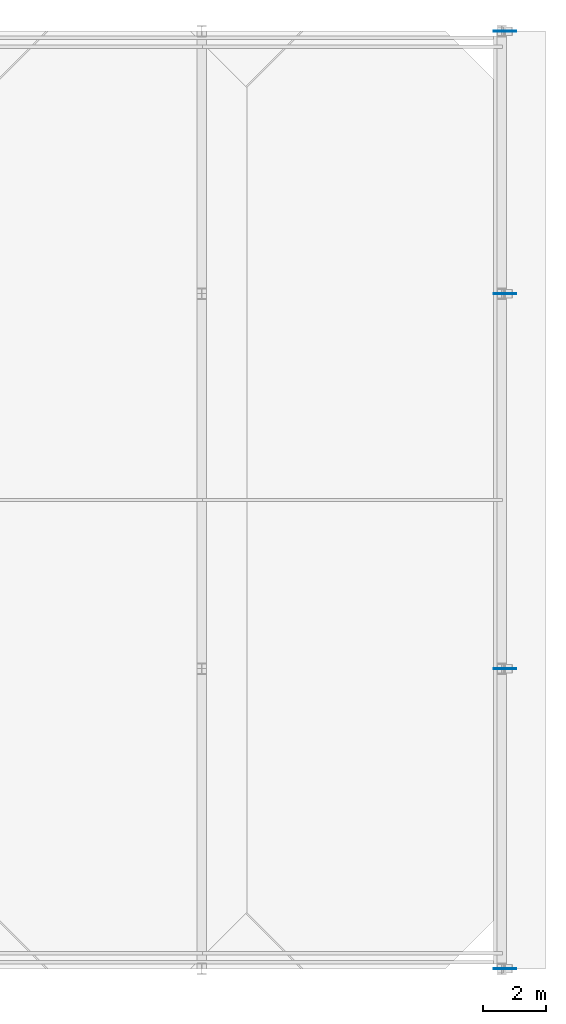
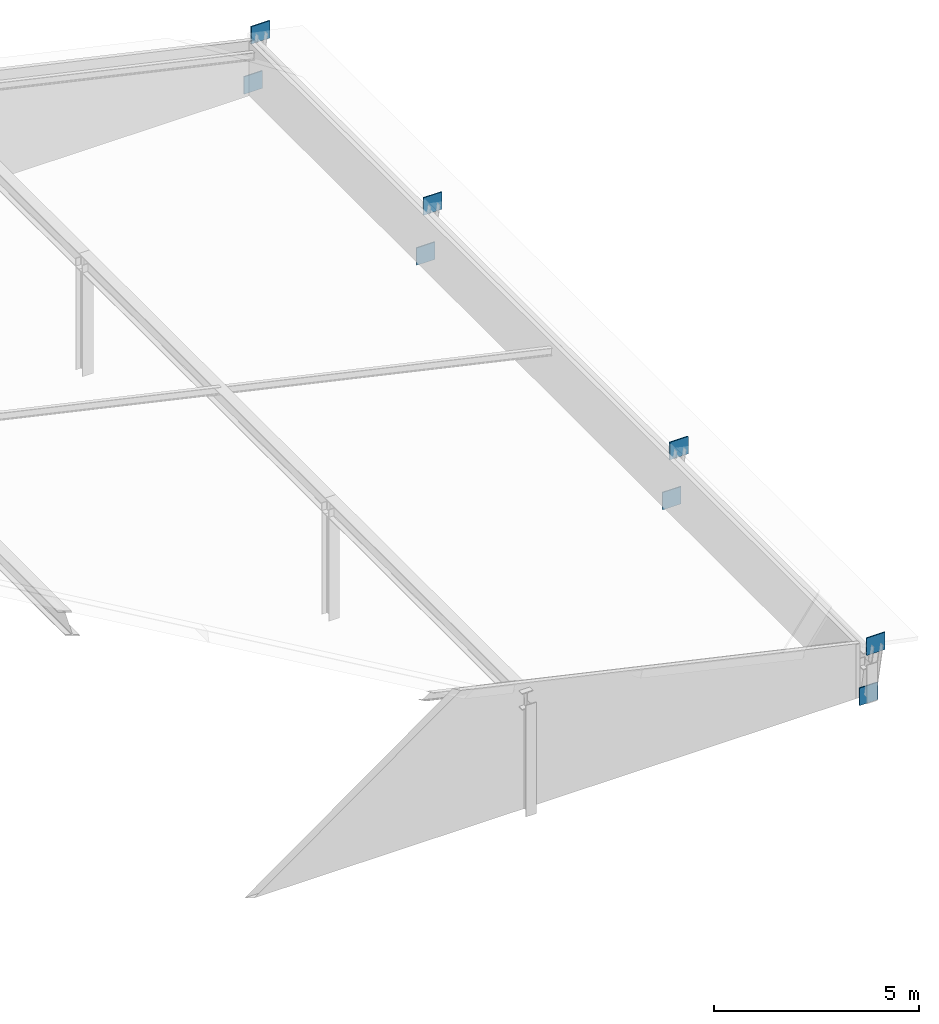
# One storey, part 3 of 4: 8 plates.
"""IFC4 building model written with IfcOpenShell, lengths in metres."""

from ifc_helpers import new_model, si_unit, direction, frame, origin, origin_2d, place, context, subcontext, project, spatial, rectangle, extrude, material, layer, layer_set, type_object, element, save


model = new_model("IFC4")

# Units and contexts
model_context = context("Model", 3, precision=1e-05, world=origin(), true_north=direction((0.0, 1.0)))
body_context = subcontext(model_context, "Body", "Model", "MODEL_VIEW")
ifc_project = project(units=[si_unit("LENGTHUNIT", "METRE"), si_unit("AREAUNIT", "SQUARE_METRE"), si_unit("VOLUMEUNIT", "CUBIC_METRE"), si_unit("PLANEANGLEUNIT", "RADIAN"), si_unit("MASSUNIT", "GRAM", prefix="KILO")], contexts=[model_context])

# Site, building, storey
site_placement = place(None, origin())
site = spatial("IfcSite", under=ifc_project, at=site_placement, CompositionType="ELEMENT")
building_placement = place(site_placement, origin())
building = spatial("IfcBuilding", under=site, at=building_placement, Name="Zereglee Splitstone Museum", CompositionType="ELEMENT")
storey_placement = place(building_placement, frame((0.0, 0.0, 29.699951171875)))
storey = spatial("IfcBuildingStorey", under=building, at=storey_placement, Name="RF", CompositionType="ELEMENT", Elevation=29.699951171875)

# Plates
ifc_material = material(Name="Steel S355J2", Category="steel")
ifc_layer = layer(ifc_material, 0.030029296875)
ifc_layer_set = layer_set([ifc_layer], Name="Steel S355J2")
plate_type = type_object("IfcPlateType", Name="NP-04", PredefinedType="SHEET", material=ifc_layer_set)
for number, where, z_axis, x_axis, name in (
    (1, (39.60009765625, 0.0, -0.10986328125), (0.0, 0.0, 1.0), (1.0, 0.0, 0.0), "Chhajja Corbel Gusset Plate RF-V1"),
    (2, (39.800048828125, 0.0, 1.31005859375), (0.0, 0.0, 1.0), (1.0, 0.0, 0.0), "Chhajja Corbel Gusset Plate RF-V1"),
    (3, (39.60009765625, 9.60009765625, -0.10986328125), (0.0, 0.0, 1.0), (1.0, 0.0, 0.0), "Chhajja Corbel Gusset Plate RF-V1"),
    (4, (39.800048828125, 9.60009765625, 1.31005859375), (0.0, 0.0, 1.0), (1.0, 0.0, 0.0), "Chhajja Corbel Gusset Plate RF-V1"),
    (5, (39.60009765625, 21.60009765625, -0.10986328125), (0.0, 0.0, 1.0), (1.0, 0.0, 0.0), "Chhajja Corbel Gusset Plate RF-V1"),
    (6, (39.800048828125, 21.60009765625, 1.31005859375), (0.0, 0.0, 1.0), (1.0, 0.0, 0.0), "Chhajja Corbel Gusset Plate RF-V1"),
    (7, (39.60009765625, 30.0, -0.10986328125), (0.0, 0.0, 1.0), (1.0, 0.0, 0.0), "Chhajja Corbel Gusset Plate RF-V1"),
    (8, (39.800048828125, 30.0, 1.31005859375), (0.0, 0.0, 1.0), (1.0, 0.0, 0.0), "Chhajja Corbel Gusset Plate RF-V1"),
):
    element("IfcPlate", number, at=place(storey_placement, frame(where, z_axis=z_axis, x_axis=x_axis)), inside=storey, type_object=plate_type, Name=name, PredefinedType="SHEET", context=body_context, shape_type="SweptSolid", body=[
        extrude(rectangle(XDim=0.52001953125, YDim=0.030029296875, at=origin_2d()), origin(), (0.0, 0.0, 1.0), 0.52001953125),
    ])

save(model, "model.ifc")
